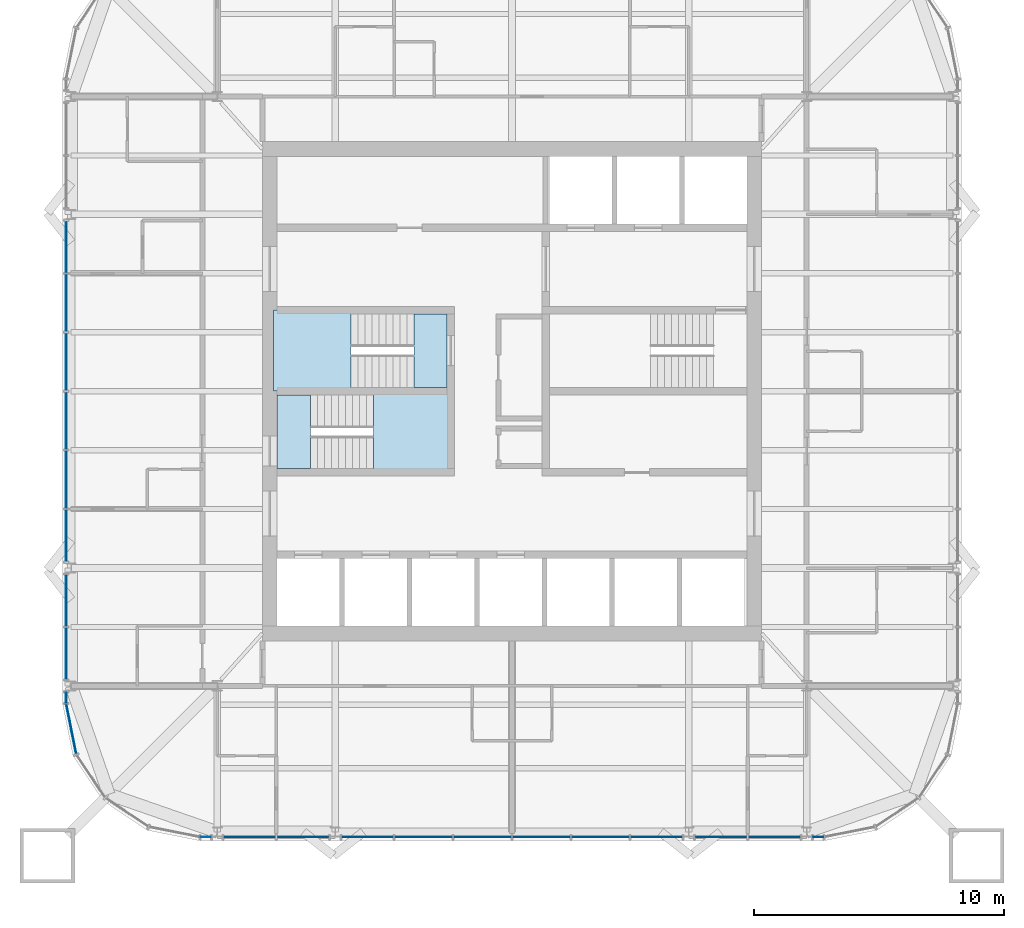
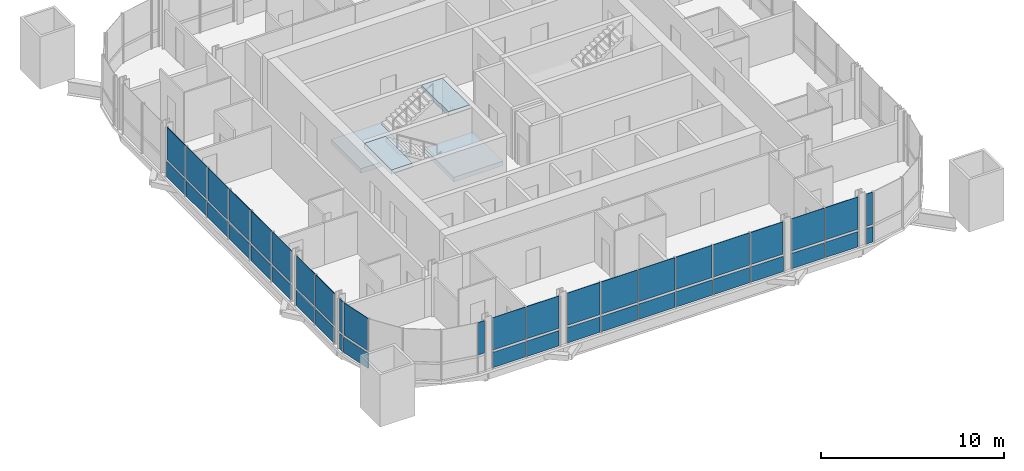
# One storey, part 8 of 17: 43 plates, 4 slabs, 11 elements without a shape of their own.
"""IFC4 building model written with IfcOpenShell, lengths in metres."""

from ifc_helpers import new_model, si_unit, direction, frame, origin, origin_2d, place, context, subcontext, project, spatial, polyline, rectangle, outline, extrude, material, layer, layer_set, type_object, element, aggregate, save


model = new_model("IFC4")

# Units and contexts
model_context = context("Model", 3, precision=1e-05, world=origin(), true_north=direction((0.0, 1.0)))
body_context = subcontext(model_context, "Body", "Model", "MODEL_VIEW")
ifc_project = project(units=[si_unit("LENGTHUNIT", "METRE"), si_unit("AREAUNIT", "SQUARE_METRE"), si_unit("VOLUMEUNIT", "CUBIC_METRE"), si_unit("PLANEANGLEUNIT", "RADIAN"), si_unit("MASSUNIT", "GRAM", prefix="KILO")], contexts=[model_context])

# Site, building, storey
site_placement = place(None, origin())
site = spatial("IfcSite", under=ifc_project, at=site_placement, CompositionType="ELEMENT")
building_placement = place(site_placement, origin())
building = spatial("IfcBuilding", under=site, at=building_placement, Name="Turquesa Mirador Hotel Tower", CompositionType="ELEMENT")
storey_placement = place(building_placement, frame((0.0, 0.0, 240.699951171875)))
storey = spatial("IfcBuildingStorey", under=building, at=storey_placement, Name="L65", CompositionType="ELEMENT", Elevation=240.699951171875)

# Curtain wall, plates
ifc_material_1 = material(Name="Aluminium extrusion", Category="aluminium")
curtain_wall_type = type_object("IfcCurtainWallType", Name="CW-4 SUITE FRITTED CURTAIN WALL", PredefinedType="USERDEFINED", material=ifc_material_1)
curtain_wall_1_placement = place(storey_placement, origin())
curtain_wall_1 = element("IfcCurtainWall", 1, at=curtain_wall_1_placement, inside=storey, type_object=curtain_wall_type, Name="CW-4 SUITE FRITTED CURTAIN WALL L65", ObjectType="CURTAIN WALL", PredefinedType="USERDEFINED")
ifc_material_2 = material(Name="Ceramic-printed spandrel glass on an insulated back pan", Category="glass")
ifc_layer_1 = layer(ifc_material_2, 0.050048828125)
ifc_layer_set_1 = layer_set([ifc_layer_1], Name="CW PANEL SPANDREL CERAMIC")
plate_type_1 = type_object("IfcPlateType", Name="CW PANEL SPANDREL CERAMIC", PredefinedType="CURTAIN_PANEL", material=ifc_layer_set_1)
plate_1_placement = place(storey_placement, frame((37.14990234375, 50.782958984375, 0.0), z_axis=(0.0, 0.0, 1.0), x_axis=(0.0, -1.0, 0.0)))
plate_1 = element("IfcPlate", 2, at=plate_1_placement, type_object=plate_type_1, Name="Panel", PredefinedType="CURTAIN_PANEL", context=body_context, shape_type="SweptSolid", body=[
    extrude(rectangle(XDim=2.06103515625, YDim=0.050048828125, at=origin_2d()), origin(), (0.0, 0.0, 1.0), 1.02490234375),
])
plate_2_placement = place(storey_placement, frame((37.14990234375, 48.5400390625, 0.0), z_axis=(0.0, 0.0, 1.0), x_axis=(0.0, -1.0, 0.0)))
plate_2 = element("IfcPlate", 3, at=plate_2_placement, type_object=plate_type_1, Name="Panel", PredefinedType="CURTAIN_PANEL", context=body_context, shape_type="SweptSolid", body=[
    extrude(rectangle(XDim=2.294921875, YDim=0.050048828125, at=origin_2d()), origin(), (0.0, 0.0, 1.0), 1.02490234375),
])
plate_3_placement = place(storey_placement, frame((37.14990234375, 46.179931640625, 0.0), z_axis=(0.0, 0.0, 1.0), x_axis=(0.0, -1.0, 0.0)))
plate_3 = element("IfcPlate", 4, at=plate_3_placement, type_object=plate_type_1, Name="Panel", PredefinedType="CURTAIN_PANEL", context=body_context, shape_type="SweptSolid", body=[
    extrude(rectangle(XDim=2.294921875, YDim=0.050048828125, at=origin_2d()), origin(), (0.0, 0.0, 1.0), 1.02490234375),
])
plate_4_placement = place(storey_placement, frame((37.14990234375, 43.820068359375, 0.0), z_axis=(0.0, 0.0, 1.0), x_axis=(0.0, -1.0, 0.0)))
plate_4 = element("IfcPlate", 5, at=plate_4_placement, type_object=plate_type_1, Name="Panel", PredefinedType="CURTAIN_PANEL", context=body_context, shape_type="SweptSolid", body=[
    extrude(rectangle(XDim=2.294921875, YDim=0.050048828125, at=origin_2d()), origin(), (0.0, 0.0, 1.0), 1.02490234375),
])
plate_5_placement = place(storey_placement, frame((37.14990234375, 41.4599609375, 0.0), z_axis=(0.0, 0.0, 1.0), x_axis=(0.0, -1.0, 0.0)))
plate_5 = element("IfcPlate", 6, at=plate_5_placement, type_object=plate_type_1, Name="Panel", PredefinedType="CURTAIN_PANEL", context=body_context, shape_type="SweptSolid", body=[
    extrude(rectangle(XDim=2.294921875, YDim=0.050048828125, at=origin_2d()), origin(), (0.0, 0.0, 1.0), 1.02490234375),
])
plate_6_placement = place(storey_placement, frame((37.14990234375, 39.217041015625, 0.0), z_axis=(0.0, 0.0, 1.0), x_axis=(0.0, -1.0, 0.0)))
plate_6 = element("IfcPlate", 7, at=plate_6_placement, type_object=plate_type_1, Name="Panel", PredefinedType="CURTAIN_PANEL", context=body_context, shape_type="SweptSolid", body=[
    extrude(rectangle(XDim=2.06103515625, YDim=0.050048828125, at=origin_2d()), origin(), (0.0, 0.0, 1.0), 1.02490234375),
])

curtain_wall_2_placement = place(storey_placement, origin())
curtain_wall_2 = element("IfcCurtainWall", 8, at=curtain_wall_2_placement, inside=storey, type_object=curtain_wall_type, Name="CW-4 SUITE FRITTED CURTAIN WALL L65", ObjectType="CURTAIN WALL", PredefinedType="USERDEFINED")
plate_7_placement = place(storey_placement, frame((37.14990234375, 36.623046875, 0.0), z_axis=(0.0, 0.0, 1.0), x_axis=(0.0, -1.0, 0.0)))
plate_7 = element("IfcPlate", 9, at=plate_7_placement, type_object=plate_type_1, Name="Panel", PredefinedType="CURTAIN_PANEL", context=body_context, shape_type="SweptSolid", body=[
    extrude(rectangle(XDim=2.06103515625, YDim=0.050048828125, at=origin_2d()), origin(), (0.0, 0.0, 1.0), 1.02490234375),
])
plate_8_placement = place(storey_placement, frame((37.14990234375, 34.496826171875, 0.0), z_axis=(0.0, 0.0, 1.0), x_axis=(0.0, -1.0, 0.0)))
plate_8 = element("IfcPlate", 10, at=plate_8_placement, type_object=plate_type_1, Name="Panel", PredefinedType="CURTAIN_PANEL", context=body_context, shape_type="SweptSolid", body=[
    extrude(rectangle(XDim=2.06103515625, YDim=0.050048828125, at=origin_2d()), origin(), (0.0, 0.0, 1.0), 1.02490234375),
])

# Curtain wall, plate
curtain_wall_3_placement = place(storey_placement, origin())
curtain_wall_3 = element("IfcCurtainWall", 11, at=curtain_wall_3_placement, inside=storey, type_object=curtain_wall_type, Name="CW-4 SUITE FRITTED CURTAIN WALL L65", ObjectType="CURTAIN WALL", PredefinedType="USERDEFINED")
plate_9_placement = place(storey_placement, frame((37.14990234375, 32.733154296875, 0.0), z_axis=(0.0, 0.0, 1.0), x_axis=(0.0, -1.0, 0.0)))
plate_9 = element("IfcPlate", 12, at=plate_9_placement, type_object=plate_type_1, Name="Panel", PredefinedType="CURTAIN_PANEL", context=body_context, shape_type="SweptSolid", body=[
    extrude(rectangle(XDim=0.401123046875, YDim=0.050048828125, at=origin_2d()), origin(), (0.0, 0.0, 1.0), 1.02490234375),
])

curtain_wall_4_placement = place(storey_placement, origin())
curtain_wall_4 = element("IfcCurtainWall", 13, at=curtain_wall_4_placement, inside=storey, type_object=curtain_wall_type, Name="CW-4 SUITE FRITTED CURTAIN WALL L65", ObjectType="CURTAIN WALL", PredefinedType="USERDEFINED")
plate_10_placement = place(storey_placement, frame((37.353515625, 31.476318359375, 0.0), z_axis=(0.0, 0.0, 1.0), x_axis=(0.195090585221, -0.980785228048, 0.0)))
plate_10 = element("IfcPlate", 14, at=plate_10_placement, type_object=plate_type_1, Name="Panel", PredefinedType="CURTAIN_PANEL", context=body_context, shape_type="SweptSolid", body=[
    extrude(rectangle(XDim=2.0224609375, YDim=0.050048828125, at=origin_2d()), origin(), (0.0, 0.0, 1.0), 1.02490234375),
])

# Curtain wall, plates
curtain_wall_5_placement = place(storey_placement, origin())
curtain_wall_5 = element("IfcCurtainWall", 15, at=curtain_wall_5_placement, inside=storey, type_object=curtain_wall_type, Name="CW-4 SUITE FRITTED CURTAIN WALL L65", ObjectType="CURTAIN WALL", PredefinedType="USERDEFINED")
plate_11_placement = place(storey_placement, frame((44.496826171875, 27.14990234375, 0.0), z_axis=(0.0, 0.0, 1.0), x_axis=(1.0, 0.0, 0.0)))
plate_11 = element("IfcPlate", 16, at=plate_11_placement, type_object=plate_type_1, Name="Panel", PredefinedType="CURTAIN_PANEL", context=body_context, shape_type="SweptSolid", body=[
    extrude(rectangle(XDim=2.06103515625, YDim=0.050048828125, at=origin_2d()), origin(), (0.0, 0.0, 1.0), 1.02490234375),
])
plate_12_placement = place(storey_placement, frame((46.623046875, 27.14990234375, 0.0), z_axis=(0.0, 0.0, 1.0), x_axis=(1.0, 0.0, 0.0)))
plate_12 = element("IfcPlate", 17, at=plate_12_placement, type_object=plate_type_1, Name="Panel", PredefinedType="CURTAIN_PANEL", context=body_context, shape_type="SweptSolid", body=[
    extrude(rectangle(XDim=2.06103515625, YDim=0.050048828125, at=origin_2d()), origin(), (0.0, 0.0, 1.0), 1.02490234375),
])

curtain_wall_6_placement = place(storey_placement, origin())
curtain_wall_6 = element("IfcCurtainWall", 18, at=curtain_wall_6_placement, inside=storey, type_object=curtain_wall_type, Name="CW-4 SUITE FRITTED CURTAIN WALL L65", ObjectType="CURTAIN WALL", PredefinedType="USERDEFINED")
plate_13_placement = place(storey_placement, frame((49.217041015625, 27.14990234375, 0.0), z_axis=(0.0, 0.0, 1.0), x_axis=(1.0, 0.0, 0.0)))
plate_13 = element("IfcPlate", 19, at=plate_13_placement, type_object=plate_type_1, Name="Panel", PredefinedType="CURTAIN_PANEL", context=body_context, shape_type="SweptSolid", body=[
    extrude(rectangle(XDim=2.06103515625, YDim=0.050048828125, at=origin_2d()), origin(), (0.0, 0.0, 1.0), 1.02490234375),
])
plate_14_placement = place(storey_placement, frame((51.4599609375, 27.14990234375, 0.0), z_axis=(0.0, 0.0, 1.0), x_axis=(1.0, 0.0, 0.0)))
plate_14 = element("IfcPlate", 20, at=plate_14_placement, type_object=plate_type_1, Name="Panel", PredefinedType="CURTAIN_PANEL", context=body_context, shape_type="SweptSolid", body=[
    extrude(rectangle(XDim=2.294921875, YDim=0.050048828125, at=origin_2d()), origin(), (0.0, 0.0, 1.0), 1.02490234375),
])
plate_15_placement = place(storey_placement, frame((53.820068359375, 27.14990234375, 0.0), z_axis=(0.0, 0.0, 1.0), x_axis=(1.0, 0.0, 0.0)))
plate_15 = element("IfcPlate", 21, at=plate_15_placement, type_object=plate_type_1, Name="Panel", PredefinedType="CURTAIN_PANEL", context=body_context, shape_type="SweptSolid", body=[
    extrude(rectangle(XDim=2.294921875, YDim=0.050048828125, at=origin_2d()), origin(), (0.0, 0.0, 1.0), 1.02490234375),
])
plate_16_placement = place(storey_placement, frame((56.179931640625, 27.14990234375, 0.0), z_axis=(0.0, 0.0, 1.0), x_axis=(1.0, 0.0, 0.0)))
plate_16 = element("IfcPlate", 22, at=plate_16_placement, type_object=plate_type_1, Name="Panel", PredefinedType="CURTAIN_PANEL", context=body_context, shape_type="SweptSolid", body=[
    extrude(rectangle(XDim=2.294921875, YDim=0.050048828125, at=origin_2d()), origin(), (0.0, 0.0, 1.0), 1.02490234375),
])
plate_17_placement = place(storey_placement, frame((58.5400390625, 27.14990234375, 0.0), z_axis=(0.0, 0.0, 1.0), x_axis=(1.0, 0.0, 0.0)))
plate_17 = element("IfcPlate", 23, at=plate_17_placement, type_object=plate_type_1, Name="Panel", PredefinedType="CURTAIN_PANEL", context=body_context, shape_type="SweptSolid", body=[
    extrude(rectangle(XDim=2.294921875, YDim=0.050048828125, at=origin_2d()), origin(), (0.0, 0.0, 1.0), 1.02490234375),
])
plate_18_placement = place(storey_placement, frame((60.782958984375, 27.14990234375, 0.0), z_axis=(0.0, 0.0, 1.0), x_axis=(1.0, 0.0, 0.0)))
plate_18 = element("IfcPlate", 24, at=plate_18_placement, type_object=plate_type_1, Name="Panel", PredefinedType="CURTAIN_PANEL", context=body_context, shape_type="SweptSolid", body=[
    extrude(rectangle(XDim=2.06103515625, YDim=0.050048828125, at=origin_2d()), origin(), (0.0, 0.0, 1.0), 1.02490234375),
])

curtain_wall_7_placement = place(storey_placement, origin())
curtain_wall_7 = element("IfcCurtainWall", 25, at=curtain_wall_7_placement, inside=storey, type_object=curtain_wall_type, Name="CW-4 SUITE FRITTED CURTAIN WALL L65", ObjectType="CURTAIN WALL", PredefinedType="USERDEFINED")
plate_19_placement = place(storey_placement, frame((63.376953125, 27.14990234375, 0.0), z_axis=(0.0, 0.0, 1.0), x_axis=(1.0, 0.0, 0.0)))
plate_19 = element("IfcPlate", 26, at=plate_19_placement, type_object=plate_type_1, Name="Panel", PredefinedType="CURTAIN_PANEL", context=body_context, shape_type="SweptSolid", body=[
    extrude(rectangle(XDim=2.06103515625, YDim=0.050048828125, at=origin_2d()), origin(), (0.0, 0.0, 1.0), 1.02490234375),
])
plate_20_placement = place(storey_placement, frame((65.503173828125, 27.14990234375, 0.0), z_axis=(0.0, 0.0, 1.0), x_axis=(1.0, 0.0, 0.0)))
plate_20 = element("IfcPlate", 27, at=plate_20_placement, type_object=plate_type_1, Name="Panel", PredefinedType="CURTAIN_PANEL", context=body_context, shape_type="SweptSolid", body=[
    extrude(rectangle(XDim=2.06103515625, YDim=0.050048828125, at=origin_2d()), origin(), (0.0, 0.0, 1.0), 1.02490234375),
])

# Curtain wall, plate
curtain_wall_8_placement = place(storey_placement, origin())
curtain_wall_8 = element("IfcCurtainWall", 28, at=curtain_wall_8_placement, inside=storey, type_object=curtain_wall_type, Name="CW-4 SUITE FRITTED CURTAIN WALL L65", ObjectType="CURTAIN WALL", PredefinedType="USERDEFINED")
plate_21_placement = place(storey_placement, frame((67.266845703125, 27.14990234375, 0.0), z_axis=(0.0, 0.0, 1.0), x_axis=(1.0, 0.0, 0.0)))
plate_21 = element("IfcPlate", 29, at=plate_21_placement, type_object=plate_type_1, Name="Panel", PredefinedType="CURTAIN_PANEL", context=body_context, shape_type="SweptSolid", body=[
    extrude(rectangle(XDim=0.401123046875, YDim=0.050048828125, at=origin_2d()), origin(), (0.0, 0.0, 1.0), 1.02490234375),
])

# Plate
ifc_material_3 = material(Name="Ceramic-fritted laminated glass", Category="glass")
ifc_layer_2 = layer(ifc_material_3, 0.031982421875)
ifc_layer_set_2 = layer_set([ifc_layer_2], Name="CW PANEL VISION FRITTED")
plate_type_2 = type_object("IfcPlateType", Name="CW PANEL VISION FRITTED", PredefinedType="CURTAIN_PANEL", material=ifc_layer_set_2)
plate_22_placement = place(storey_placement, frame((37.14990234375, 50.782958984375, 1.1748046875), z_axis=(0.0, 0.0, 1.0), x_axis=(0.0, -1.0, 0.0)))
plate_22 = element("IfcPlate", 30, at=plate_22_placement, type_object=plate_type_2, Name="Panel", PredefinedType="CURTAIN_PANEL", context=body_context, shape_type="SweptSolid", body=[
    extrude(rectangle(XDim=2.06103515625, YDim=0.031982421875, at=origin_2d()), origin(), (0.0, 0.0, 1.0), 2.155029296875),
])

plate_23_placement = place(storey_placement, frame((37.14990234375, 48.5400390625, 1.1748046875), z_axis=(0.0, 0.0, 1.0), x_axis=(0.0, -1.0, 0.0)))
plate_23 = element("IfcPlate", 31, at=plate_23_placement, type_object=plate_type_2, Name="Panel", PredefinedType="CURTAIN_PANEL", context=body_context, shape_type="SweptSolid", body=[
    extrude(rectangle(XDim=2.294921875, YDim=0.031982421875, at=origin_2d()), origin(), (0.0, 0.0, 1.0), 2.155029296875),
])

plate_24_placement = place(storey_placement, frame((37.14990234375, 46.179931640625, 1.1748046875), z_axis=(0.0, 0.0, 1.0), x_axis=(0.0, -1.0, 0.0)))
plate_24 = element("IfcPlate", 32, at=plate_24_placement, type_object=plate_type_2, Name="Panel", PredefinedType="CURTAIN_PANEL", context=body_context, shape_type="SweptSolid", body=[
    extrude(rectangle(XDim=2.294921875, YDim=0.031982421875, at=origin_2d()), origin(), (0.0, 0.0, 1.0), 2.155029296875),
])

plate_25_placement = place(storey_placement, frame((37.14990234375, 43.820068359375, 1.1748046875), z_axis=(0.0, 0.0, 1.0), x_axis=(0.0, -1.0, 0.0)))
plate_25 = element("IfcPlate", 33, at=plate_25_placement, type_object=plate_type_2, Name="Panel", PredefinedType="CURTAIN_PANEL", context=body_context, shape_type="SweptSolid", body=[
    extrude(rectangle(XDim=2.294921875, YDim=0.031982421875, at=origin_2d()), origin(), (0.0, 0.0, 1.0), 2.155029296875),
])

plate_26_placement = place(storey_placement, frame((37.14990234375, 41.4599609375, 1.1748046875), z_axis=(0.0, 0.0, 1.0), x_axis=(0.0, -1.0, 0.0)))
plate_26 = element("IfcPlate", 34, at=plate_26_placement, type_object=plate_type_2, Name="Panel", PredefinedType="CURTAIN_PANEL", context=body_context, shape_type="SweptSolid", body=[
    extrude(rectangle(XDim=2.294921875, YDim=0.031982421875, at=origin_2d()), origin(), (0.0, 0.0, 1.0), 2.155029296875),
])

plate_27_placement = place(storey_placement, frame((37.14990234375, 39.217041015625, 1.1748046875), z_axis=(0.0, 0.0, 1.0), x_axis=(0.0, -1.0, 0.0)))
plate_27 = element("IfcPlate", 35, at=plate_27_placement, type_object=plate_type_2, Name="Panel", PredefinedType="CURTAIN_PANEL", context=body_context, shape_type="SweptSolid", body=[
    extrude(rectangle(XDim=2.06103515625, YDim=0.031982421875, at=origin_2d()), origin(), (0.0, 0.0, 1.0), 2.155029296875),
])

aggregate(curtain_wall_1, [plate_1, plate_22, plate_2, plate_23, plate_3, plate_24, plate_4, plate_25, plate_5, plate_26, plate_6, plate_27])

plate_28_placement = place(storey_placement, frame((37.14990234375, 36.623046875, 1.1748046875), z_axis=(0.0, 0.0, 1.0), x_axis=(0.0, -1.0, 0.0)))
plate_28 = element("IfcPlate", 36, at=plate_28_placement, type_object=plate_type_2, Name="Panel", PredefinedType="CURTAIN_PANEL", context=body_context, shape_type="SweptSolid", body=[
    extrude(rectangle(XDim=2.06103515625, YDim=0.031982421875, at=origin_2d()), origin(), (0.0, 0.0, 1.0), 2.155029296875),
])

plate_29_placement = place(storey_placement, frame((37.14990234375, 34.496826171875, 1.1748046875), z_axis=(0.0, 0.0, 1.0), x_axis=(0.0, -1.0, 0.0)))
plate_29 = element("IfcPlate", 37, at=plate_29_placement, type_object=plate_type_2, Name="Panel", PredefinedType="CURTAIN_PANEL", context=body_context, shape_type="SweptSolid", body=[
    extrude(rectangle(XDim=2.06103515625, YDim=0.031982421875, at=origin_2d()), origin(), (0.0, 0.0, 1.0), 2.155029296875),
])

aggregate(curtain_wall_2, [plate_7, plate_28, plate_8, plate_29])

plate_30_placement = place(storey_placement, frame((37.14990234375, 32.733154296875, 1.1748046875), z_axis=(0.0, 0.0, 1.0), x_axis=(0.0, -1.0, 0.0)))
plate_30 = element("IfcPlate", 38, at=plate_30_placement, type_object=plate_type_2, Name="Panel", PredefinedType="CURTAIN_PANEL", context=body_context, shape_type="SweptSolid", body=[
    extrude(rectangle(XDim=0.401123046875, YDim=0.031982421875, at=origin_2d()), origin(), (0.0, 0.0, 1.0), 2.155029296875),
])

aggregate(curtain_wall_3, [plate_9, plate_30])

plate_31_placement = place(storey_placement, frame((37.353515625, 31.476318359375, 1.1748046875), z_axis=(0.0, 0.0, 1.0), x_axis=(0.195090585221, -0.980785228048, 0.0)))
plate_31 = element("IfcPlate", 39, at=plate_31_placement, type_object=plate_type_2, Name="Panel", PredefinedType="CURTAIN_PANEL", context=body_context, shape_type="SweptSolid", body=[
    extrude(rectangle(XDim=2.0224609375, YDim=0.031982421875, at=origin_2d()), origin(), (0.0, 0.0, 1.0), 2.155029296875),
])

aggregate(curtain_wall_4, [plate_10, plate_31])

# Curtain wall, plate
curtain_wall_9_placement = place(storey_placement, origin())
curtain_wall_9 = element("IfcCurtainWall", 40, at=curtain_wall_9_placement, inside=storey, type_object=curtain_wall_type, Name="CW-4 SUITE FRITTED CURTAIN WALL L65", ObjectType="CURTAIN WALL", PredefinedType="USERDEFINED")
plate_32_placement = place(storey_placement, frame((42.733154296875, 27.14990234375, 1.1748046875), z_axis=(0.0, 0.0, 1.0), x_axis=(1.0, 0.0, 0.0)))
plate_32 = element("IfcPlate", 41, at=plate_32_placement, type_object=plate_type_2, Name="Panel", PredefinedType="CURTAIN_PANEL", context=body_context, shape_type="SweptSolid", body=[
    extrude(rectangle(XDim=0.401123046875, YDim=0.031982421875, at=origin_2d()), origin(), (0.0, 0.0, 1.0), 2.155029296875),
])
aggregate(curtain_wall_9, [plate_32])

# Plate
plate_33_placement = place(storey_placement, frame((44.496826171875, 27.14990234375, 1.1748046875), z_axis=(0.0, 0.0, 1.0), x_axis=(1.0, 0.0, 0.0)))
plate_33 = element("IfcPlate", 42, at=plate_33_placement, type_object=plate_type_2, Name="Panel", PredefinedType="CURTAIN_PANEL", context=body_context, shape_type="SweptSolid", body=[
    extrude(rectangle(XDim=2.06103515625, YDim=0.031982421875, at=origin_2d()), origin(), (0.0, 0.0, 1.0), 2.155029296875),
])

plate_34_placement = place(storey_placement, frame((46.623046875, 27.14990234375, 1.1748046875), z_axis=(0.0, 0.0, 1.0), x_axis=(1.0, 0.0, 0.0)))
plate_34 = element("IfcPlate", 43, at=plate_34_placement, type_object=plate_type_2, Name="Panel", PredefinedType="CURTAIN_PANEL", context=body_context, shape_type="SweptSolid", body=[
    extrude(rectangle(XDim=2.06103515625, YDim=0.031982421875, at=origin_2d()), origin(), (0.0, 0.0, 1.0), 2.155029296875),
])

aggregate(curtain_wall_5, [plate_11, plate_33, plate_12, plate_34])

plate_35_placement = place(storey_placement, frame((49.217041015625, 27.14990234375, 1.1748046875), z_axis=(0.0, 0.0, 1.0), x_axis=(1.0, 0.0, 0.0)))
plate_35 = element("IfcPlate", 44, at=plate_35_placement, type_object=plate_type_2, Name="Panel", PredefinedType="CURTAIN_PANEL", context=body_context, shape_type="SweptSolid", body=[
    extrude(rectangle(XDim=2.06103515625, YDim=0.031982421875, at=origin_2d()), origin(), (0.0, 0.0, 1.0), 2.155029296875),
])

plate_36_placement = place(storey_placement, frame((51.4599609375, 27.14990234375, 1.1748046875), z_axis=(0.0, 0.0, 1.0), x_axis=(1.0, 0.0, 0.0)))
plate_36 = element("IfcPlate", 45, at=plate_36_placement, type_object=plate_type_2, Name="Panel", PredefinedType="CURTAIN_PANEL", context=body_context, shape_type="SweptSolid", body=[
    extrude(rectangle(XDim=2.294921875, YDim=0.031982421875, at=origin_2d()), origin(), (0.0, 0.0, 1.0), 2.155029296875),
])

plate_37_placement = place(storey_placement, frame((53.820068359375, 27.14990234375, 1.1748046875), z_axis=(0.0, 0.0, 1.0), x_axis=(1.0, 0.0, 0.0)))
plate_37 = element("IfcPlate", 46, at=plate_37_placement, type_object=plate_type_2, Name="Panel", PredefinedType="CURTAIN_PANEL", context=body_context, shape_type="SweptSolid", body=[
    extrude(rectangle(XDim=2.294921875, YDim=0.031982421875, at=origin_2d()), origin(), (0.0, 0.0, 1.0), 2.155029296875),
])

plate_38_placement = place(storey_placement, frame((56.179931640625, 27.14990234375, 1.1748046875), z_axis=(0.0, 0.0, 1.0), x_axis=(1.0, 0.0, 0.0)))
plate_38 = element("IfcPlate", 47, at=plate_38_placement, type_object=plate_type_2, Name="Panel", PredefinedType="CURTAIN_PANEL", context=body_context, shape_type="SweptSolid", body=[
    extrude(rectangle(XDim=2.294921875, YDim=0.031982421875, at=origin_2d()), origin(), (0.0, 0.0, 1.0), 2.155029296875),
])

plate_39_placement = place(storey_placement, frame((58.5400390625, 27.14990234375, 1.1748046875), z_axis=(0.0, 0.0, 1.0), x_axis=(1.0, 0.0, 0.0)))
plate_39 = element("IfcPlate", 48, at=plate_39_placement, type_object=plate_type_2, Name="Panel", PredefinedType="CURTAIN_PANEL", context=body_context, shape_type="SweptSolid", body=[
    extrude(rectangle(XDim=2.294921875, YDim=0.031982421875, at=origin_2d()), origin(), (0.0, 0.0, 1.0), 2.155029296875),
])

plate_40_placement = place(storey_placement, frame((60.782958984375, 27.14990234375, 1.1748046875), z_axis=(0.0, 0.0, 1.0), x_axis=(1.0, 0.0, 0.0)))
plate_40 = element("IfcPlate", 49, at=plate_40_placement, type_object=plate_type_2, Name="Panel", PredefinedType="CURTAIN_PANEL", context=body_context, shape_type="SweptSolid", body=[
    extrude(rectangle(XDim=2.06103515625, YDim=0.031982421875, at=origin_2d()), origin(), (0.0, 0.0, 1.0), 2.155029296875),
])

aggregate(curtain_wall_6, [plate_13, plate_35, plate_14, plate_36, plate_15, plate_37, plate_16, plate_38, plate_17, plate_39, plate_18, plate_40])

plate_41_placement = place(storey_placement, frame((63.376953125, 27.14990234375, 1.1748046875), z_axis=(0.0, 0.0, 1.0), x_axis=(1.0, 0.0, 0.0)))
plate_41 = element("IfcPlate", 50, at=plate_41_placement, type_object=plate_type_2, Name="Panel", PredefinedType="CURTAIN_PANEL", context=body_context, shape_type="SweptSolid", body=[
    extrude(rectangle(XDim=2.06103515625, YDim=0.031982421875, at=origin_2d()), origin(), (0.0, 0.0, 1.0), 2.155029296875),
])

plate_42_placement = place(storey_placement, frame((65.503173828125, 27.14990234375, 1.1748046875), z_axis=(0.0, 0.0, 1.0), x_axis=(1.0, 0.0, 0.0)))
plate_42 = element("IfcPlate", 51, at=plate_42_placement, type_object=plate_type_2, Name="Panel", PredefinedType="CURTAIN_PANEL", context=body_context, shape_type="SweptSolid", body=[
    extrude(rectangle(XDim=2.06103515625, YDim=0.031982421875, at=origin_2d()), origin(), (0.0, 0.0, 1.0), 2.155029296875),
])

aggregate(curtain_wall_7, [plate_19, plate_41, plate_20, plate_42])

plate_43_placement = place(storey_placement, frame((67.266845703125, 27.14990234375, 1.1748046875), z_axis=(0.0, 0.0, 1.0), x_axis=(1.0, 0.0, 0.0)))
plate_43 = element("IfcPlate", 52, at=plate_43_placement, type_object=plate_type_2, Name="Panel", PredefinedType="CURTAIN_PANEL", context=body_context, shape_type="SweptSolid", body=[
    extrude(rectangle(XDim=0.401123046875, YDim=0.031982421875, at=origin_2d()), origin(), (0.0, 0.0, 1.0), 2.155029296875),
])

aggregate(curtain_wall_8, [plate_21, plate_43])

# Stair, slabs
ifc_material_4 = material(Name="Concrete C35/45", Category="concrete")
stair_type = type_object("IfcStairType", Name="ESCAPE STAIR CORE", PredefinedType="HALF_TURN_STAIR", material=ifc_material_4)
stair_1_placement = place(storey_placement, origin())
stair_1 = element("IfcStair", 53, at=stair_1_placement, inside=storey, type_object=stair_type, Name="Stair ST1 L65 to L66", PredefinedType="HALF_TURN_STAIR")
ifc_material_5 = material(Name="Concrete C35/45", Category="concrete")
ifc_layer_3 = layer(ifc_material_5, 0.300048828125)
ifc_layer_set_3 = layer_set([ifc_layer_3], Name="STAIR LANDING 300")
slab_type = type_object("IfcSlabType", Name="STAIR LANDING 300", PredefinedType="LANDING", material=ifc_layer_set_3)
slab_1_placement = place(storey_placement, frame((0.0, 0.0, 1.449951171875)))
slab_1 = element("IfcSlab", 54, at=slab_1_placement, type_object=slab_type, Name="ST1 landing 1", PredefinedType="LANDING", context=body_context, shape_type="SweptSolid", body=[
    extrude(outline(polyline([(45.449951171875, 45.0), (48.550048828125, 45.0), (48.550048828125, 48.25), (45.449951171875, 48.25), (45.449951171875, 45.0)])), origin(), (0.0, 0.0, 1.0), 0.300048828125),
])
slab_2_placement = place(storey_placement, frame((0.0, 0.0, 3.199951171875)))
slab_2 = element("IfcSlab", 55, at=slab_2_placement, type_object=slab_type, Name="ST1 landing 2", PredefinedType="LANDING", context=body_context, shape_type="SweptSolid", body=[
    extrude(outline(polyline([(51.070068359375, 45.14990234375), (52.39990234375, 45.14990234375), (52.39990234375, 48.10009765625), (51.070068359375, 48.10009765625), (51.070068359375, 45.14990234375)])), origin(), (0.0, 0.0, 1.0), 0.300048828125),
])
aggregate(stair_1, [slab_1, slab_2])

stair_2_placement = place(storey_placement, origin())
stair_2 = element("IfcStair", 56, at=stair_2_placement, inside=storey, type_object=stair_type, Name="Stair ST2 L65 to L66", PredefinedType="HALF_TURN_STAIR")
slab_3_placement = place(storey_placement, frame((0.0, 0.0, 1.449951171875)))
slab_3 = element("IfcSlab", 57, at=slab_3_placement, type_object=slab_type, Name="ST2 landing 1", PredefinedType="LANDING", context=body_context, shape_type="SweptSolid", body=[
    extrude(outline(polyline([(52.550048828125, 45.0), (49.449951171875, 45.0), (49.449951171875, 41.75), (52.550048828125, 41.75), (52.550048828125, 45.0)])), origin(), (0.0, 0.0, 1.0), 0.300048828125),
])
slab_4_placement = place(storey_placement, frame((0.0, 0.0, 3.199951171875)))
slab_4 = element("IfcSlab", 58, at=slab_4_placement, type_object=slab_type, Name="ST2 landing 2", PredefinedType="LANDING", context=body_context, shape_type="SweptSolid", body=[
    extrude(outline(polyline([(46.929931640625, 44.85009765625), (45.60009765625, 44.85009765625), (45.60009765625, 41.89990234375), (46.929931640625, 41.89990234375), (46.929931640625, 44.85009765625)])), origin(), (0.0, 0.0, 1.0), 0.300048828125),
])
aggregate(stair_2, [slab_3, slab_4])

save(model, "model.ifc")
